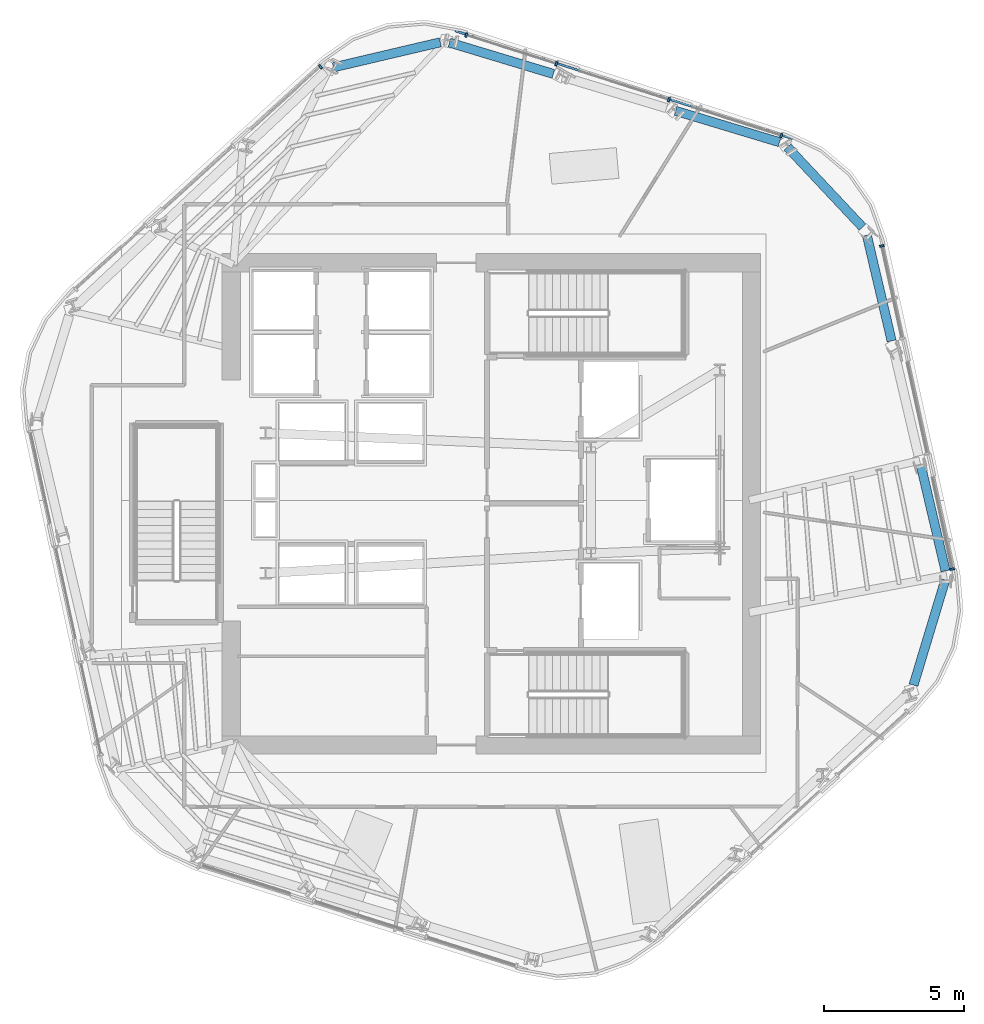
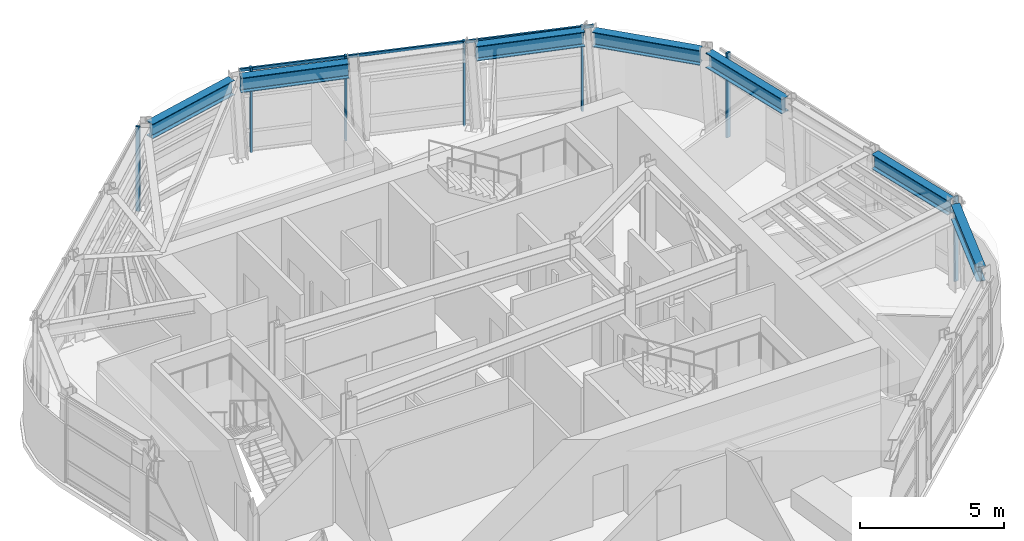
# One storey, part 5 of 15: 8 members, 7 beams, 3 elements without a shape of their own.
"""IFC4 building model written with IfcOpenShell, lengths in metres."""

from ifc_helpers import new_model, si_unit, direction, frame, origin, origin_2d, place, context, subcontext, project, spatial, rectangle, i_section, extrude, material, layer, layer_set, material_profile, profile_set, type_object, element, aggregate, save


model = new_model("IFC4")

# Units and contexts
model_context = context("Model", 3, precision=1e-05, world=origin(), true_north=direction((0.0, 1.0)))
body_context = subcontext(model_context, "Body", "Model", "MODEL_VIEW")
ifc_project = project(units=[si_unit("LENGTHUNIT", "METRE"), si_unit("AREAUNIT", "SQUARE_METRE"), si_unit("VOLUMEUNIT", "CUBIC_METRE"), si_unit("PLANEANGLEUNIT", "RADIAN"), si_unit("MASSUNIT", "GRAM", prefix="KILO")], contexts=[model_context])

# Site, building, storey
site_placement = place(None, origin())
site = spatial("IfcSite", under=ifc_project, at=site_placement, CompositionType="ELEMENT")
building_placement = place(site_placement, origin())
building = spatial("IfcBuilding", under=site, at=building_placement, Name="Valkerne Bourse Tower", CompositionType="ELEMENT")
storey_placement = place(building_placement, frame((0.0, 0.0, 205.60009765625)))
storey = spatial("IfcBuildingStorey", under=building, at=storey_placement, Name="L52", CompositionType="ELEMENT", Elevation=205.60009765625)

# Beams
ifc_material_1 = material(Name="Steel ASTM A992", Category="steel")
ifc_material_profile_1 = material_profile(ifc_material_1, i_section(OverallWidth=0.32763671875, OverallDepth=0.62744140625, WebThickness=0.0166015625, FlangeThickness=0.027587890625, FilletRadius=0.020263671875, at=origin_2d()), Name="W24X146")
ifc_profile_set_1 = profile_set([ifc_material_profile_1], Name="Steel ASTM A992")
beam_type = type_object("IfcBeamType", Name="BM-W24X146", PredefinedType="SPANDREL", material=ifc_profile_set_1)
beam_1_placement = place(storey_placement, frame((57.07861328125, 39.773193359375, 3.2861328125), z_axis=(-0.957325077736, 0.289013313774, 0.0), x_axis=(-0.289013313774, -0.957325077736, 0.0)))
element("IfcBeam", 1, at=beam_1_placement, inside=storey, type_object=beam_type, Name="L52 Hexagonal Spandrel Ring Beam 00", PredefinedType="SPANDREL", context=body_context, shape_type="SweptSolid", body=[
    extrude(i_section(OverallWidth=0.32763671875, OverallDepth=0.62744140625, WebThickness=0.0166015625, FlangeThickness=0.027587890625, FilletRadius=0.020263671875, at=origin_2d()), origin(), (0.0, 0.0, 1.0), 3.872314453125),
])
beam_2_placement = place(storey_placement, frame((49.01416015625, 42.2080078125, 3.2861328125), z_axis=(-0.957319810918, 0.289030758957, 0.0), x_axis=(-0.289030758957, -0.957319810918, 0.0)))
element("IfcBeam", 2, at=beam_2_placement, inside=storey, type_object=beam_type, Name="L52 Hexagonal Spandrel Ring Beam 02", PredefinedType="SPANDREL", context=body_context, shape_type="SweptSolid", body=[
    extrude(i_section(OverallWidth=0.32763671875, OverallDepth=0.62744140625, WebThickness=0.0166015625, FlangeThickness=0.027587890625, FilletRadius=0.020263671875, at=origin_2d()), origin(), (0.0, 0.0, 1.0), 3.8720703125),
])
beam_3_placement = place(storey_placement, frame((44.97900390625, 43.33740234375, 3.2861328125), z_axis=(-0.973568236902, -0.228396339937, 0.0), x_axis=(0.228396339937, -0.973568236902, 0.0)))
element("IfcBeam", 3, at=beam_3_placement, inside=storey, type_object=beam_type, Name="L52 Hexagonal Spandrel Ring Beam 03", PredefinedType="SPANDREL", context=body_context, shape_type="SweptSolid", body=[
    extrude(i_section(OverallWidth=0.32763671875, OverallDepth=0.62744140625, WebThickness=0.0166015625, FlangeThickness=0.027587890625, FilletRadius=0.020263671875, at=origin_2d()), origin(), (0.0, 0.0, 1.0), 3.91552734375),
])
beam_4_placement = place(storey_placement, frame((61.85888671875, 20.408203125, 3.2861328125), z_axis=(0.289034778107, 0.957318597461, 0.0), x_axis=(-0.957318597461, 0.289034778107, 0.0)))
element("IfcBeam", 4, at=beam_4_placement, inside=storey, type_object=beam_type, Name="L52 Hexagonal Spandrel Ring Beam 19", PredefinedType="SPANDREL", context=body_context, shape_type="SweptSolid", body=[
    extrude(i_section(OverallWidth=0.32763671875, OverallDepth=0.62744140625, WebThickness=0.0166015625, FlangeThickness=0.027587890625, FilletRadius=0.020263671875, at=origin_2d()), origin(), (0.0, 0.0, 1.0), 3.916015625),
])
for number, where, z_axis, x_axis, name in (
    (5, (63.001220703125, 24.485107421875, 3.2861328125), (-0.228371556972, 0.973574050582, 0.0), (-0.973574050582, -0.228371556972, 0.0), "L52 Hexagonal Spandrel Ring Beam 20"),
    (6, (61.077392578125, 32.6865234375, 3.2861328125), (-0.228311792798, 0.973588067547, 0.0), (-0.973588067547, -0.228311792798, 0.0), "L52 Hexagonal Spandrel Ring Beam 22"),
):
    element("IfcBeam", number, at=place(storey_placement, frame(where, z_axis=z_axis, x_axis=x_axis)), inside=storey, type_object=beam_type, Name=name, PredefinedType="SPANDREL", context=body_context, shape_type="SweptSolid", body=[
        extrude(i_section(OverallWidth=0.32763671875, OverallDepth=0.62744140625, WebThickness=0.0166015625, FlangeThickness=0.027587890625, FilletRadius=0.020263671875, at=origin_2d()), origin(), (0.0, 0.0, 1.0), 3.8720703125),
    ])
beam_5_placement = place(storey_placement, frame((60.0380859375, 36.74560546875, 3.2861328125), z_axis=(-0.684529916273, 0.728984769201, 0.0), x_axis=(-0.728984769201, -0.684529916273, 0.0)))
element("IfcBeam", 7, at=beam_5_placement, inside=storey, type_object=beam_type, Name="L52 Hexagonal Spandrel Ring Beam 23", PredefinedType="SPANDREL", context=body_context, shape_type="SweptSolid", body=[
    extrude(i_section(OverallWidth=0.32763671875, OverallDepth=0.62744140625, WebThickness=0.0166015625, FlangeThickness=0.027587890625, FilletRadius=0.020263671875, at=origin_2d()), origin(), (0.0, 0.0, 1.0), 3.915771484375),
])

# Curtain wall, members
ifc_material_2 = material(Name="Aluminium AA 6063-T6", Category="aluminium")
ifc_layer = layer(ifc_material_2, 0.239990234375)
ifc_layer_set = layer_set([ifc_layer], Name="Aluminium AA 6063-T6")
curtain_wall_type = type_object("IfcCurtainWallType", Name="CW-04", PredefinedType="NOTDEFINED", material=ifc_layer_set)
curtain_wall_1_placement = place(storey_placement, origin())
curtain_wall_1 = element("IfcCurtainWall", 8, at=curtain_wall_1_placement, inside=storey, type_object=curtain_wall_type, Name="L52 Hexagonal Stick Curtain Wall Face 1", PredefinedType="NOTDEFINED")
ifc_material_profile_2 = material_profile(ifc_material_2, rectangle(XDim=0.074951171875, YDim=0.159912109375, at=origin_2d()), Name="CWM-75X160")
ifc_profile_set_2 = profile_set([ifc_material_profile_2], Name="Aluminium AA 6063-T6")
member_type_1 = type_object("IfcMemberType", Name="CW-MUL-160X75", PredefinedType="MULLION", material=ifc_profile_set_2)
member_1_placement = place(storey_placement, frame((57.14306640625, 40.010009765625, 0.0), z_axis=(0.0, 0.0, 1.0), x_axis=(-0.952660381718, 0.304036506204, 0.0)))
member_1 = element("IfcMember", 9, at=member_1_placement, type_object=member_type_1, Name="CW-L52-F1 Jamb Mullion 00A", PredefinedType="MULLION", context=body_context, shape_type="SweptSolid", body=[
    extrude(rectangle(XDim=0.074951171875, YDim=0.159912109375, at=origin_2d()), origin(), (0.0, 0.0, 1.0), 3.599853515625),
])
member_2_placement = place(storey_placement, frame((53.130615234375, 41.29052734375, 0.0), z_axis=(0.0, 0.0, 1.0), x_axis=(-0.952660381718, 0.304036506204, 0.0)))
member_2 = element("IfcMember", 10, at=member_2_placement, type_object=member_type_1, Name="CW-L52-F1 Jamb Mullion 01A", PredefinedType="MULLION", context=body_context, shape_type="SweptSolid", body=[
    extrude(rectangle(XDim=0.074951171875, YDim=0.159912109375, at=origin_2d()), origin(), (0.0, 0.0, 1.0), 3.599853515625),
])
member_3_placement = place(storey_placement, frame((49.117919921875, 42.5712890625, 0.0), z_axis=(0.0, 0.0, 1.0), x_axis=(-0.952667258157, 0.304014958903, 0.0)))
member_3 = element("IfcMember", 11, at=member_3_placement, type_object=member_type_1, Name="CW-L52-F1 Jamb Mullion 02A", PredefinedType="MULLION", context=body_context, shape_type="SweptSolid", body=[
    extrude(rectangle(XDim=0.074951171875, YDim=0.159912109375, at=origin_2d()), origin(), (0.0, 0.0, 1.0), 3.599853515625),
])
member_4_placement = place(storey_placement, frame((45.905517578125, 43.59619140625, 0.0), z_axis=(0.0, 0.0, 1.0), x_axis=(-0.952667258157, 0.304014958903, 0.0)))
member_4 = element("IfcMember", 12, at=member_4_placement, type_object=member_type_1, Name="CW-L52-F1 Jamb Mullion 02B", PredefinedType="MULLION", context=body_context, shape_type="SweptSolid", body=[
    extrude(rectangle(XDim=0.074951171875, YDim=0.159912109375, at=origin_2d()), origin(), (0.0, 0.0, 1.0), 3.599853515625),
])

# Curtain wall, member
curtain_wall_2_placement = place(storey_placement, origin())
curtain_wall_2 = element("IfcCurtainWall", 13, at=curtain_wall_2_placement, inside=storey, type_object=curtain_wall_type, Name="L52 Hexagonal Stick Curtain Wall Face 2", PredefinedType="NOTDEFINED")
member_5_placement = place(storey_placement, frame((40.70458984375, 42.46240234375, 0.0), z_axis=(0.0, 0.0, 1.0), x_axis=(-0.73961985495, -0.673024865933, 0.0)))
member_5 = element("IfcMember", 14, at=member_5_placement, type_object=member_type_1, Name="CW-L52-F2 Jamb Mullion 00A", PredefinedType="MULLION", context=body_context, shape_type="SweptSolid", body=[
    extrude(rectangle(XDim=0.074951171875, YDim=0.159912109375, at=origin_2d()), origin(), (0.0, 0.0, 1.0), 3.599853515625),
])
aggregate(curtain_wall_2, [member_5])

# Curtain wall, members
curtain_wall_3_placement = place(storey_placement, origin())
curtain_wall_3 = element("IfcCurtainWall", 15, at=curtain_wall_3_placement, inside=storey, type_object=curtain_wall_type, Name="L52 Hexagonal Stick Curtain Wall Face 6", PredefinedType="NOTDEFINED")
member_6_placement = place(storey_placement, frame((63.238525390625, 24.547607421875, 0.0), z_axis=(0.0, 0.0, 1.0), x_axis=(-0.213034804174, 0.977044611167, 0.0)))
member_6 = element("IfcMember", 16, at=member_6_placement, type_object=member_type_1, Name="CW-L52-F6 Jamb Mullion 00A", PredefinedType="MULLION", context=body_context, shape_type="SweptSolid", body=[
    extrude(rectangle(XDim=0.074951171875, YDim=0.159912109375, at=origin_2d()), origin(), (0.0, 0.0, 1.0), 3.599853515625),
])
member_7_placement = place(storey_placement, frame((60.7255859375, 36.072998046875, 0.0), z_axis=(0.0, 0.0, 1.0), x_axis=(-0.213034804174, 0.977044611167, 0.0)))
member_7 = element("IfcMember", 17, at=member_7_placement, type_object=member_type_1, Name="CW-L52-F6 Jamb Mullion 02B", PredefinedType="MULLION", context=body_context, shape_type="SweptSolid", body=[
    extrude(rectangle(XDim=0.074951171875, YDim=0.159912109375, at=origin_2d()), origin(), (0.0, 0.0, 1.0), 3.599853515625),
])
aggregate(curtain_wall_3, [member_6, member_7])

# Member
ifc_material_profile_3 = material_profile(ifc_material_2, rectangle(XDim=0.074951171875, YDim=0.1201171875, at=origin_2d()), Name="CWT-75X120")
ifc_profile_set_3 = profile_set([ifc_material_profile_3], Name="Aluminium AA 6063-T6")
member_type_2 = type_object("IfcMemberType", Name="CW-TRN-120X75", PredefinedType="USERDEFINED", material=ifc_profile_set_3)
member_8_placement = place(storey_placement, frame((57.54931640625, 39.9013671875, 3.52001953125), z_axis=(-0.952660759109, 0.304035323693, 0.0), x_axis=(-0.304035323693, -0.952660759109, 0.0)))
member_8 = element("IfcMember", 18, at=member_8_placement, type_object=member_type_2, Name="CW-L52-F1 Continuous Face Transom 4", ObjectType="TRANSOM", PredefinedType="USERDEFINED", context=body_context, shape_type="SweptSolid", body=[
    extrude(rectangle(XDim=0.074951171875, YDim=0.1201171875, at=origin_2d()), origin(), (0.0, 0.0, 1.0), 12.635986328125),
])

aggregate(curtain_wall_1, [member_8, member_1, member_2, member_3, member_4])

save(model, "model.ifc")
